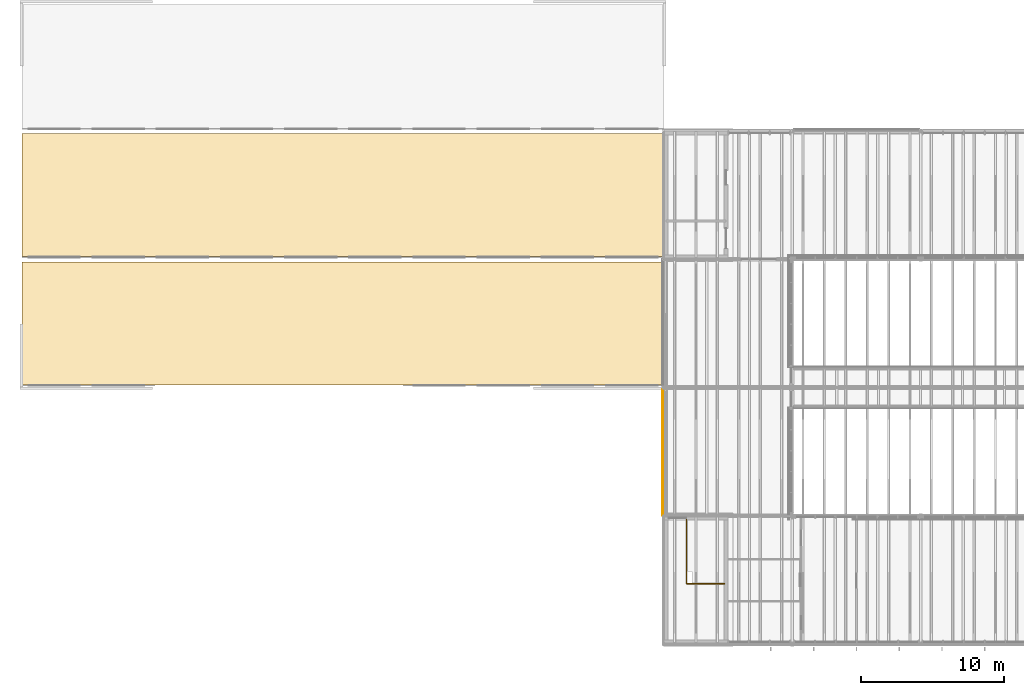
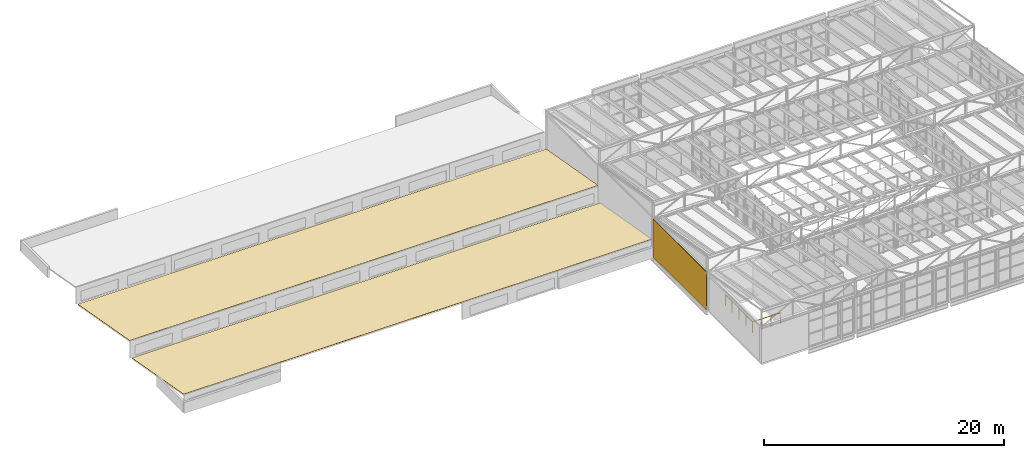
# One storey, part 41 of 44: 3 coverings, 1 railing.
"""IFC4 building model written with IfcOpenShell, lengths in metres."""

from ifc_helpers import new_model, si_unit, direction, frame, frame_2d, origin, origin_2d, place, context, subcontext, project, spatial, polyline, rectangle, circle, outline, extrude, material, layer, layer_set, type_object, element, save


model = new_model("IFC4")

# Units and contexts
model_context = context("Model", 3, precision=1e-05, world=origin(), true_north=direction((0.0, 1.0)))
body_context = subcontext(model_context, "Body", "Model", "MODEL_VIEW")
ifc_project = project(units=[si_unit("LENGTHUNIT", "METRE"), si_unit("AREAUNIT", "SQUARE_METRE"), si_unit("VOLUMEUNIT", "CUBIC_METRE"), si_unit("PLANEANGLEUNIT", "RADIAN"), si_unit("MASSUNIT", "GRAM", prefix="KILO")], contexts=[model_context])

# Site, building, storey
site_placement = place(None, origin())
site = spatial("IfcSite", under=ifc_project, at=site_placement, CompositionType="ELEMENT")
building_placement = place(site_placement, origin())
building = spatial("IfcBuilding", under=site, at=building_placement, Name="Halyard Row Museum", CompositionType="ELEMENT")
storey_placement = place(building_placement, frame((0.0, 0.0, 21.199951171875)))
storey = spatial("IfcBuildingStorey", under=building, at=storey_placement, Name="L04", CompositionType="ELEMENT", Elevation=21.199951171875)

# Railing
ifc_material_1 = material(Name="Steel Grade 300", Category="steel")
railing_type = type_object("IfcRailingType", Name="Guard GR2 steel balustrade 1100", PredefinedType="GUARDRAIL", material=ifc_material_1)
railing_placement = place(storey_placement, frame((76.260009765625, 4.239990234375, 0.0)))
element("IfcRailing", 1, at=railing_placement, inside=storey, type_object=railing_type, Name="Guard GR159", PredefinedType="GUARDRAIL", context=body_context, shape_type="SweptSolid", body=[
    extrude(circle(Radius=0.02392578125, at=origin_2d()), frame((0.0, 0.0, 1.076171875), z_axis=(-1.0, 0.0, 0.0), x_axis=(0.0, -1.0, 0.0)), (0.0, 0.0, 1.0), 2.669921875),
    extrude(circle(Radius=0.02392578125, at=origin_2d()), frame((-2.669921875, 0.0, 1.076171875), z_axis=(0.0, 1.0, 0.0), x_axis=(-1.0, 0.0, 0.0)), (0.0, 0.0, 1.0), 4.52001953125),
    extrude(circle(Radius=0.02099609375, at=origin_2d()), origin(), (0.0, 0.0, 1.0), 1.052001953125),
    extrude(circle(Radius=0.02099609375, at=origin_2d()), frame((-0.889892578125, 0.0, 0.0)), (0.0, 0.0, 1.0), 1.052001953125),
    extrude(circle(Radius=0.02099609375, at=origin_2d()), frame((-1.780029296875, 0.0, 0.0)), (0.0, 0.0, 1.0), 1.052001953125),
    extrude(circle(Radius=0.02099609375, at=origin_2d()), frame((-2.669921875, 0.0, 0.0)), (0.0, 0.0, 1.0), 1.052001953125),
    extrude(circle(Radius=0.02099609375, at=origin_2d()), frame((-2.669921875, 1.1298828125, 0.0)), (0.0, 0.0, 1.0), 1.052001953125),
    extrude(circle(Radius=0.02099609375, at=origin_2d()), frame((-2.669921875, 2.260009765625, 0.0)), (0.0, 0.0, 1.0), 1.052001953125),
    extrude(circle(Radius=0.02099609375, at=origin_2d()), frame((-2.669921875, 3.39013671875, 0.0)), (0.0, 0.0, 1.0), 1.052001953125),
    extrude(circle(Radius=0.02099609375, at=origin_2d()), frame((-2.669921875, 4.52001953125, 0.0)), (0.0, 0.0, 1.0), 1.052001953125),
])

# Coverings
ifc_material_2 = material(Name="Single-ply roofing membrane on insulation", Category="general")
ifc_layer_1 = layer(ifc_material_2, 0.02001953125)
ifc_layer_set_1 = layer_set([ifc_layer_1], Name="Single-ply roofing membrane on insulation")
covering_type_1 = type_object("IfcCoveringType", Name="Roofing membrane 20", PredefinedType="ROOFING", material=ifc_layer_set_1)
covering_1_placement = place(storey_placement, frame((27.0, 18.18896484375, 1.58642578125), z_axis=(0.0, 0.175022511077, 0.984564431927), x_axis=(1.0, 0.0, 0.0)))
element("IfcCovering", 2, at=covering_1_placement, inside=storey, type_object=covering_type_1, Name="Roofing RC-V1-T1a", PredefinedType="ROOFING", context=body_context, shape_type="SweptSolid", body=[
    extrude(outline(polyline([(0.0, 0.0), (45.0, 0.0), (45.0, 8.746084771230501), (0.0, 8.746084771230501), (0.0, 0.0)])), origin(), (0.0, 0.0, -1.0), 0.02001953125),
])
covering_2_placement = place(storey_placement, frame((27.0, 27.174560546875, 1.589111328125), z_axis=(0.0, 0.175036336252, 0.984561974175), x_axis=(1.0, 0.0, 0.0)))
element("IfcCovering", 3, at=covering_2_placement, inside=storey, type_object=covering_type_1, Name="Roofing RC-V1-T2a", PredefinedType="ROOFING", context=body_context, shape_type="SweptSolid", body=[
    extrude(outline(polyline([(0.0, 0.0), (45.0, 0.0), (45.0, 8.760736761621928), (0.0, 8.760736761621928), (0.0, 0.0)])), origin(), (0.0, 0.0, -1.0), 0.02001953125),
])
ifc_material_3 = material(Name="Fire-retardant Type A timber battens", Category="wood")
ifc_layer_2 = layer(ifc_material_3, 0.050048828125)
ifc_layer_set_2 = layer_set([ifc_layer_2], Name="Fire-retardant Type A timber battens")
covering_type_2 = type_object("IfcCoveringType", Name="Timber batten cladding 50", PredefinedType="CLADDING", material=ifc_layer_set_2)
covering_3_placement = place(storey_placement, frame((71.9150390625, 17.875, 0.0), z_axis=(0.0, 0.0, 1.0), x_axis=(0.0, -1.0, 0.0)))
element("IfcCovering", 4, at=covering_3_placement, inside=storey, type_object=covering_type_2, Name="Cladding CLL04-004", PredefinedType="CLADDING", context=body_context, shape_type="SweptSolid", body=[
    extrude(rectangle(XDim=8.875, YDim=0.050048828125, at=frame_2d((4.4375, 0.0))), origin(), (0.0, 0.0, 1.0), 3.878173828125),
])

save(model, "model.ifc")
